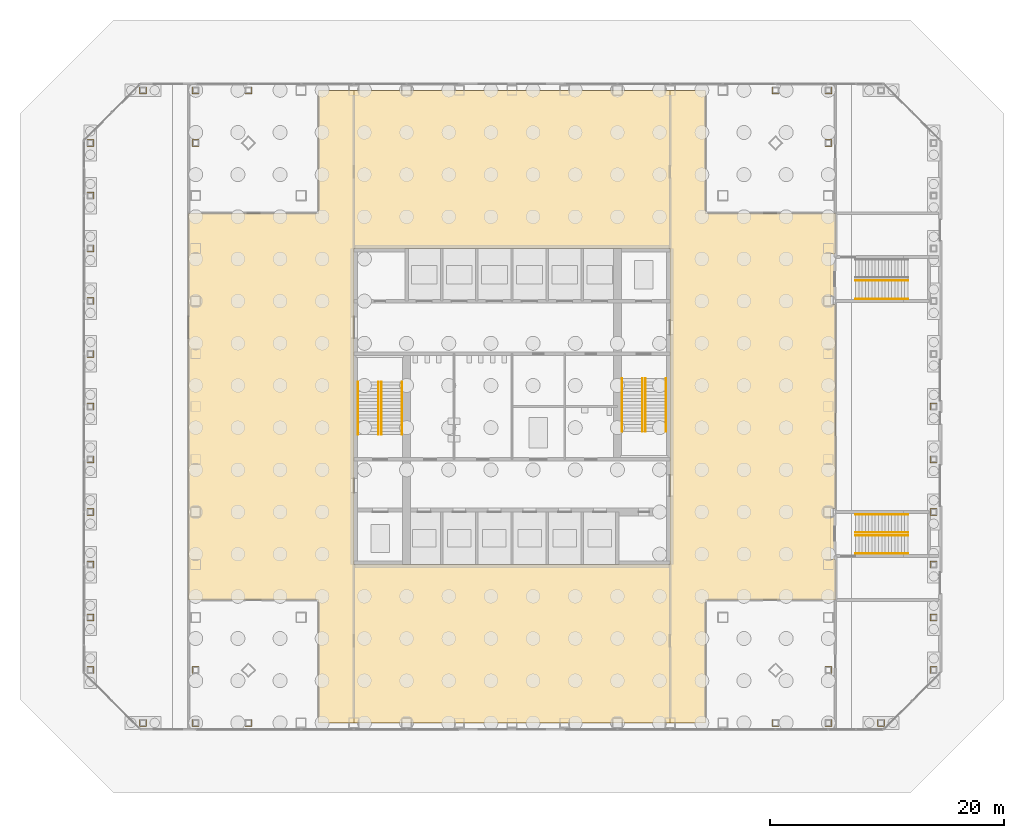
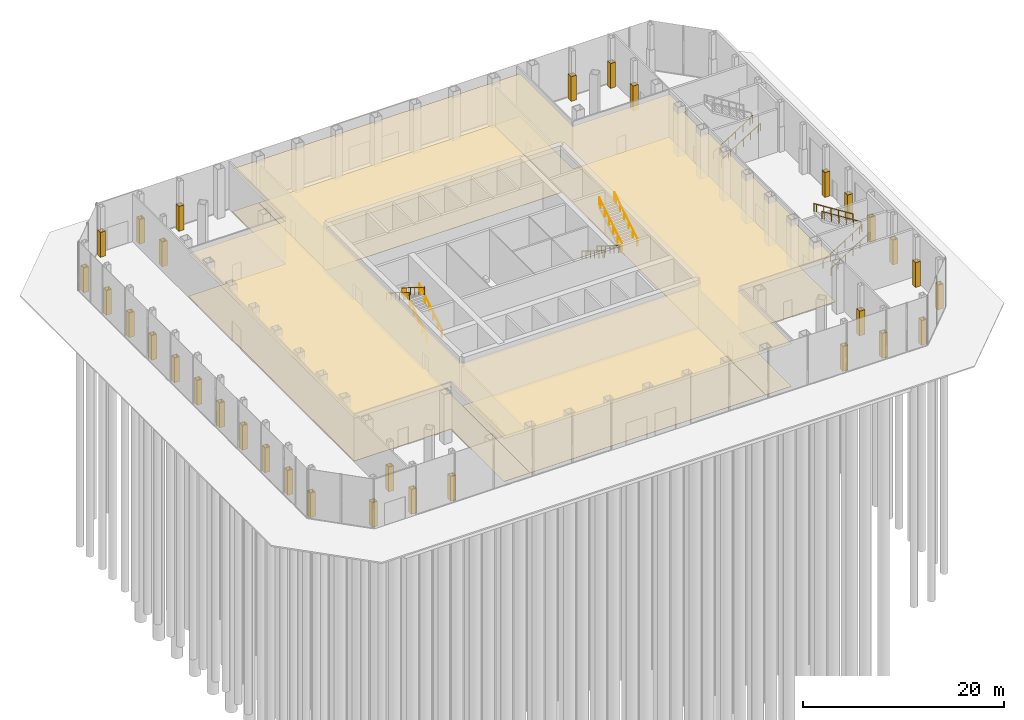
# One storey, part 21 of 24: 37 coverings, 14 railings.
"""IFC4 building model written with IfcOpenShell, lengths in metres."""

from ifc_helpers import new_model, si_unit, direction, frame, origin, origin_2d, place, context, subcontext, project, spatial, polyline, circle, outline, extrude, material, layer, layer_set, type_object, element, save


model = new_model("IFC4")

# Units and contexts
model_context = context("Model", 3, precision=1e-05, world=origin(), true_north=direction((0.0, 1.0)))
body_context = subcontext(model_context, "Body", "Model", "MODEL_VIEW")
ifc_project = project(units=[si_unit("LENGTHUNIT", "METRE"), si_unit("AREAUNIT", "SQUARE_METRE"), si_unit("VOLUMEUNIT", "CUBIC_METRE"), si_unit("PLANEANGLEUNIT", "RADIAN"), si_unit("MASSUNIT", "GRAM", prefix="KILO")], contexts=[model_context])

# Site, building, storey
site_placement = place(None, origin())
site = spatial("IfcSite", under=ifc_project, at=site_placement, CompositionType="ELEMENT")
building_placement = place(site_placement, origin())
building = spatial("IfcBuilding", under=site, at=building_placement, Name="Corais Broadcast Tower", CompositionType="ELEMENT")
storey_placement = place(building_placement, origin())
storey = spatial("IfcBuildingStorey", under=building, at=storey_placement, Name="L00", CompositionType="ELEMENT", Elevation=0.0)

# Railings
ifc_material_1 = material(Name="Stainless steel handrail", Category="steel")
railing_type = type_object("IfcRailingType", Name="Handrail 920", PredefinedType="HANDRAIL", material=ifc_material_1)
for number, where, name in (
    (1, (17.60009765625, 24.60009765625, 0.176513671875), "HR1 L00"),
    (2, (15.85009765625, 24.60009765625, 0.176513671875), "HR1 L00"),
):
    element("IfcRailing", number, at=place(storey_placement, frame(where)), inside=storey, type_object=railing_type, Name=name, PredefinedType="HANDRAIL", context=body_context, shape_type="SweptSolid", body=[
        extrude(circle(Radius=0.02392578125, at=origin_2d()), frame((0.0, 0.0, 0.89599609375), z_axis=(0.0, 0.847701827889, 0.530473006847), x_axis=(-1.0, 0.0, 0.0)), (0.0, 0.0, 1.0), 5.322509765625),
        extrude(circle(Radius=0.02099609375, at=origin_2d()), origin(), (0.0, 0.0, 1.0), 0.871826171875),
        extrude(circle(Radius=0.02099609375, at=origin_2d()), frame((0.0, 0.845947265625, 0.529296875)), (0.0, 0.0, 1.0), 0.871826171875),
        extrude(circle(Radius=0.02099609375, at=origin_2d()), frame((0.0, 1.69189453125, 1.058837890625)), (0.0, 0.0, 1.0), 0.871826171875),
        extrude(circle(Radius=0.02099609375, at=origin_2d()), frame((0.0, 2.5380859375, 1.588134765625)), (0.0, 0.0, 1.0), 0.871826171875),
        extrude(circle(Radius=0.02099609375, at=origin_2d()), frame((0.0, 3.384033203125, 2.11767578125)), (0.0, 0.0, 1.0), 0.871826171875),
        extrude(circle(Radius=0.02099609375, at=origin_2d()), frame((0.0, 4.22998046875, 2.64697265625)), (0.0, 0.0, 1.0), 0.871826171875),
        extrude(circle(Radius=0.02099609375, at=origin_2d()), frame((0.0, 4.511962890625, 2.823486328125)), (0.0, 0.0, 1.0), 0.871826171875),
    ])
for number, where, name in (
    (3, (13.85009765625, 29.112060546875, 3.176513671875), "HR1 L00"),
    (4, (15.60009765625, 29.112060546875, 3.176513671875), "HR1 L00"),
    (5, (36.39990234375, 29.39990234375, 0.176513671875), "HR1 L00"),
    (6, (38.14990234375, 29.39990234375, 0.176513671875), "HR1 L00"),
):
    element("IfcRailing", number, at=place(storey_placement, frame(where)), inside=storey, type_object=railing_type, Name=name, PredefinedType="HANDRAIL", context=body_context, shape_type="SweptSolid", body=[
        extrude(circle(Radius=0.02392578125, at=origin_2d()), frame((0.0, 0.0, 0.89599609375), z_axis=(0.0, -0.847701827889, 0.530473006847), x_axis=(1.0, 0.0, 0.0)), (0.0, 0.0, 1.0), 5.322509765625),
        extrude(circle(Radius=0.02099609375, at=origin_2d()), origin(), (0.0, 0.0, 1.0), 0.871826171875),
        extrude(circle(Radius=0.02099609375, at=origin_2d()), frame((0.0, -0.845947265625, 0.529296875)), (0.0, 0.0, 1.0), 0.871826171875),
        extrude(circle(Radius=0.02099609375, at=origin_2d()), frame((0.0, -1.69189453125, 1.058837890625)), (0.0, 0.0, 1.0), 0.871826171875),
        extrude(circle(Radius=0.02099609375, at=origin_2d()), frame((0.0, -2.5380859375, 1.588134765625)), (0.0, 0.0, 1.0), 0.871826171875),
        extrude(circle(Radius=0.02099609375, at=origin_2d()), frame((0.0, -3.384033203125, 2.11767578125)), (0.0, 0.0, 1.0), 0.871826171875),
        extrude(circle(Radius=0.02099609375, at=origin_2d()), frame((0.0, -4.22998046875, 2.64697265625)), (0.0, 0.0, 1.0), 0.871826171875),
        extrude(circle(Radius=0.02099609375, at=origin_2d()), frame((0.0, -4.511962890625, 2.823486328125)), (0.0, 0.0, 1.0), 0.871826171875),
    ])
for number, where, name in (
    (7, (40.14990234375, 24.887939453125, 3.176513671875), "HR1 L00"),
    (8, (38.39990234375, 24.887939453125, 3.176513671875), "HR1 L00"),
):
    element("IfcRailing", number, at=place(storey_placement, frame(where)), inside=storey, type_object=railing_type, Name=name, PredefinedType="HANDRAIL", context=body_context, shape_type="SweptSolid", body=[
        extrude(circle(Radius=0.02392578125, at=origin_2d()), frame((0.0, 0.0, 0.89599609375), z_axis=(0.0, 0.847701827889, 0.530473006847), x_axis=(-1.0, 0.0, 0.0)), (0.0, 0.0, 1.0), 5.322509765625),
        extrude(circle(Radius=0.02099609375, at=origin_2d()), origin(), (0.0, 0.0, 1.0), 0.871826171875),
        extrude(circle(Radius=0.02099609375, at=origin_2d()), frame((0.0, 0.845947265625, 0.529296875)), (0.0, 0.0, 1.0), 0.871826171875),
        extrude(circle(Radius=0.02099609375, at=origin_2d()), frame((0.0, 1.69189453125, 1.058837890625)), (0.0, 0.0, 1.0), 0.871826171875),
        extrude(circle(Radius=0.02099609375, at=origin_2d()), frame((0.0, 2.5380859375, 1.588134765625)), (0.0, 0.0, 1.0), 0.871826171875),
        extrude(circle(Radius=0.02099609375, at=origin_2d()), frame((0.0, 3.384033203125, 2.11767578125)), (0.0, 0.0, 1.0), 0.871826171875),
        extrude(circle(Radius=0.02099609375, at=origin_2d()), frame((0.0, 4.22998046875, 2.64697265625)), (0.0, 0.0, 1.0), 0.871826171875),
        extrude(circle(Radius=0.02099609375, at=origin_2d()), frame((0.0, 4.511962890625, 2.823486328125)), (0.0, 0.0, 1.0), 0.871826171875),
    ])
for number, where, name in (
    (9, (56.324951171875, 14.449951171875, 0.176513671875), "HR1 L00"),
    (10, (56.324951171875, 16.0, 0.176513671875), "HR1 L00"),
):
    element("IfcRailing", number, at=place(storey_placement, frame(where)), inside=storey, type_object=railing_type, Name=name, PredefinedType="HANDRAIL", context=body_context, shape_type="SweptSolid", body=[
        extrude(circle(Radius=0.02392578125, at=origin_2d()), frame((0.0, 0.0, 0.89599609375), z_axis=(0.845997938375, 0.0, 0.533186166611), x_axis=(0.0, 1.0, 0.0)), (0.0, 0.0, 1.0), 5.29541015625),
        extrude(circle(Radius=0.02099609375, at=origin_2d()), origin(), (0.0, 0.0, 1.0), 0.871826171875),
        extrude(circle(Radius=0.02099609375, at=origin_2d()), frame((0.840087890625, 0.0, 0.529296875)), (0.0, 0.0, 1.0), 0.871826171875),
        extrude(circle(Radius=0.02099609375, at=origin_2d()), frame((1.679931640625, 0.0, 1.058837890625)), (0.0, 0.0, 1.0), 0.871826171875),
        extrude(circle(Radius=0.02099609375, at=origin_2d()), frame((2.52001953125, 0.0, 1.588134765625)), (0.0, 0.0, 1.0), 0.871826171875),
        extrude(circle(Radius=0.02099609375, at=origin_2d()), frame((3.35986328125, 0.0, 2.11767578125)), (0.0, 0.0, 1.0), 0.871826171875),
        extrude(circle(Radius=0.02099609375, at=origin_2d()), frame((4.199951171875, 0.0, 2.64697265625)), (0.0, 0.0, 1.0), 0.871826171875),
        extrude(circle(Radius=0.02099609375, at=origin_2d()), frame((4.47998046875, 0.0, 2.823486328125)), (0.0, 0.0, 1.0), 0.871826171875),
    ])
for number, where, name in (
    (11, (60.804931640625, 17.800048828125, 3.176513671875), "HR1 L00"),
    (12, (60.804931640625, 16.25, 3.176513671875), "HR1 L00"),
):
    element("IfcRailing", number, at=place(storey_placement, frame(where)), inside=storey, type_object=railing_type, Name=name, PredefinedType="HANDRAIL", context=body_context, shape_type="SweptSolid", body=[
        extrude(circle(Radius=0.02392578125, at=origin_2d()), frame((0.0, 0.0, 0.89599609375), z_axis=(-0.845997938375, 0.0, 0.533186166611), x_axis=(0.0, -1.0, 0.0)), (0.0, 0.0, 1.0), 5.29541015625),
        extrude(circle(Radius=0.02099609375, at=origin_2d()), origin(), (0.0, 0.0, 1.0), 0.871826171875),
        extrude(circle(Radius=0.02099609375, at=origin_2d()), frame((-0.840087890625, 0.0, 0.529296875)), (0.0, 0.0, 1.0), 0.871826171875),
        extrude(circle(Radius=0.02099609375, at=origin_2d()), frame((-1.679931640625, 0.0, 1.058837890625)), (0.0, 0.0, 1.0), 0.871826171875),
        extrude(circle(Radius=0.02099609375, at=origin_2d()), frame((-2.52001953125, 0.0, 1.588134765625)), (0.0, 0.0, 1.0), 0.871826171875),
        extrude(circle(Radius=0.02099609375, at=origin_2d()), frame((-3.35986328125, 0.0, 2.11767578125)), (0.0, 0.0, 1.0), 0.871826171875),
        extrude(circle(Radius=0.02099609375, at=origin_2d()), frame((-4.199951171875, 0.0, 2.64697265625)), (0.0, 0.0, 1.0), 0.871826171875),
        extrude(circle(Radius=0.02099609375, at=origin_2d()), frame((-4.47998046875, 0.0, 2.823486328125)), (0.0, 0.0, 1.0), 0.871826171875),
    ])
for number, where, name in (
    (13, (56.324951171875, 36.199951171875, 0.176513671875), "HR1 L00"),
    (14, (56.324951171875, 37.75, 0.176513671875), "HR1 L00"),
):
    element("IfcRailing", number, at=place(storey_placement, frame(where)), inside=storey, type_object=railing_type, Name=name, PredefinedType="HANDRAIL", context=body_context, shape_type="SweptSolid", body=[
        extrude(circle(Radius=0.02392578125, at=origin_2d()), frame((0.0, 0.0, 0.89599609375), z_axis=(0.845997938375, 0.0, 0.533186166611), x_axis=(0.0, 1.0, 0.0)), (0.0, 0.0, 1.0), 5.29541015625),
        extrude(circle(Radius=0.02099609375, at=origin_2d()), origin(), (0.0, 0.0, 1.0), 0.871826171875),
        extrude(circle(Radius=0.02099609375, at=origin_2d()), frame((0.840087890625, 0.0, 0.529296875)), (0.0, 0.0, 1.0), 0.871826171875),
        extrude(circle(Radius=0.02099609375, at=origin_2d()), frame((1.679931640625, 0.0, 1.058837890625)), (0.0, 0.0, 1.0), 0.871826171875),
        extrude(circle(Radius=0.02099609375, at=origin_2d()), frame((2.52001953125, 0.0, 1.588134765625)), (0.0, 0.0, 1.0), 0.871826171875),
        extrude(circle(Radius=0.02099609375, at=origin_2d()), frame((3.35986328125, 0.0, 2.11767578125)), (0.0, 0.0, 1.0), 0.871826171875),
        extrude(circle(Radius=0.02099609375, at=origin_2d()), frame((4.199951171875, 0.0, 2.64697265625)), (0.0, 0.0, 1.0), 0.871826171875),
        extrude(circle(Radius=0.02099609375, at=origin_2d()), frame((4.47998046875, 0.0, 2.823486328125)), (0.0, 0.0, 1.0), 0.871826171875),
    ])

# Coverings
ifc_material_2 = material(Name="Granite stone cladding", Category="masonry")
ifc_layer_1 = layer(ifc_material_2, 0.050048828125)
ifc_layer_set_1 = layer_set([ifc_layer_1], Name="Granite stone cladding")
covering_type_1 = type_object("IfcCoveringType", Name="Pier cladding", PredefinedType="CLADDING", material=ifc_layer_set_1)
covering_1_placement = place(storey_placement, origin())
element("IfcCovering", 15, at=covering_1_placement, inside=storey, type_object=covering_type_1, Name="PC pier cladding L00", PredefinedType="CLADDING", context=body_context, shape_type="SweptSolid", body=[
    extrude(outline(polyline([(-9.300048828125, 4.199951171875), (-8.699951171875, 4.199951171875), (-8.699951171875, 4.800048828125), (-9.300048828125, 4.800048828125), (-9.300048828125, 4.199951171875)]), holes=[polyline([(-9.25, 4.25), (-8.75, 4.25), (-8.75, 4.75), (-9.25, 4.75), (-9.25, 4.25)])]), origin(), (0.0, 0.0, 1.0), 3.0),
])
covering_2_placement = place(storey_placement, origin())
element("IfcCovering", 16, at=covering_2_placement, inside=storey, type_object=covering_type_1, Name="PC pier cladding L00", PredefinedType="CLADDING", context=body_context, shape_type="SweptSolid", body=[
    extrude(outline(polyline([(62.699951171875, 4.199951171875), (63.300048828125, 4.199951171875), (63.300048828125, 4.800048828125), (62.699951171875, 4.800048828125), (62.699951171875, 4.199951171875)]), holes=[polyline([(62.75, 4.25), (63.25, 4.25), (63.25, 4.75), (62.75, 4.75), (62.75, 4.25)])]), origin(), (0.0, 0.0, 1.0), 3.0),
])
covering_3_placement = place(storey_placement, origin())
element("IfcCovering", 17, at=covering_3_placement, inside=storey, type_object=covering_type_1, Name="PC pier cladding L00", PredefinedType="CLADDING", context=body_context, shape_type="SweptSolid", body=[
    extrude(outline(polyline([(-9.300048828125, 8.699951171875), (-8.699951171875, 8.699951171875), (-8.699951171875, 9.300048828125), (-9.300048828125, 9.300048828125), (-9.300048828125, 8.699951171875)]), holes=[polyline([(-9.25, 8.75), (-8.75, 8.75), (-8.75, 9.25), (-9.25, 9.25), (-9.25, 8.75)])]), origin(), (0.0, 0.0, 1.0), 3.0),
])
covering_4_placement = place(storey_placement, origin())
element("IfcCovering", 18, at=covering_4_placement, inside=storey, type_object=covering_type_1, Name="PC pier cladding L00", PredefinedType="CLADDING", context=body_context, shape_type="SweptSolid", body=[
    extrude(outline(polyline([(62.699951171875, 8.699951171875), (63.300048828125, 8.699951171875), (63.300048828125, 9.300048828125), (62.699951171875, 9.300048828125), (62.699951171875, 8.699951171875)]), holes=[polyline([(62.75, 8.75), (63.25, 8.75), (63.25, 9.25), (62.75, 9.25), (62.75, 8.75)])]), origin(), (0.0, 0.0, 1.0), 3.0),
])
covering_5_placement = place(storey_placement, origin())
element("IfcCovering", 19, at=covering_5_placement, inside=storey, type_object=covering_type_1, Name="PC pier cladding L00", PredefinedType="CLADDING", context=body_context, shape_type="SweptSolid", body=[
    extrude(outline(polyline([(-9.300048828125, 13.199951171875), (-8.699951171875, 13.199951171875), (-8.699951171875, 13.800048828125), (-9.300048828125, 13.800048828125), (-9.300048828125, 13.199951171875)]), holes=[polyline([(-9.25, 13.25), (-8.75, 13.25), (-8.75, 13.75), (-9.25, 13.75), (-9.25, 13.25)])]), origin(), (0.0, 0.0, 1.0), 3.0),
])
covering_6_placement = place(storey_placement, origin())
element("IfcCovering", 20, at=covering_6_placement, inside=storey, type_object=covering_type_1, Name="PC pier cladding L00", PredefinedType="CLADDING", context=body_context, shape_type="SweptSolid", body=[
    extrude(outline(polyline([(62.699951171875, 13.199951171875), (63.300048828125, 13.199951171875), (63.300048828125, 13.800048828125), (62.699951171875, 13.800048828125), (62.699951171875, 13.199951171875)]), holes=[polyline([(62.75, 13.25), (63.25, 13.25), (63.25, 13.75), (62.75, 13.75), (62.75, 13.25)])]), origin(), (0.0, 0.0, 1.0), 3.0),
])
covering_7_placement = place(storey_placement, origin())
element("IfcCovering", 21, at=covering_7_placement, inside=storey, type_object=covering_type_1, Name="PC pier cladding L00", PredefinedType="CLADDING", context=body_context, shape_type="SweptSolid", body=[
    extrude(outline(polyline([(-9.300048828125, 17.699951171875), (-8.699951171875, 17.699951171875), (-8.699951171875, 18.300048828125), (-9.300048828125, 18.300048828125), (-9.300048828125, 17.699951171875)]), holes=[polyline([(-9.25, 17.75), (-8.75, 17.75), (-8.75, 18.25), (-9.25, 18.25), (-9.25, 17.75)])]), origin(), (0.0, 0.0, 1.0), 3.0),
])
covering_8_placement = place(storey_placement, origin())
element("IfcCovering", 22, at=covering_8_placement, inside=storey, type_object=covering_type_1, Name="PC pier cladding L00", PredefinedType="CLADDING", context=body_context, shape_type="SweptSolid", body=[
    extrude(outline(polyline([(62.699951171875, 17.699951171875), (63.300048828125, 17.699951171875), (63.300048828125, 18.300048828125), (62.699951171875, 18.300048828125), (62.699951171875, 17.699951171875)]), holes=[polyline([(62.75, 17.75), (63.25, 17.75), (63.25, 18.25), (62.75, 18.25), (62.75, 17.75)])]), origin(), (0.0, 0.0, 1.0), 3.0),
])
covering_9_placement = place(storey_placement, origin())
element("IfcCovering", 23, at=covering_9_placement, inside=storey, type_object=covering_type_1, Name="PC pier cladding L00", PredefinedType="CLADDING", context=body_context, shape_type="SweptSolid", body=[
    extrude(outline(polyline([(-9.300048828125, 22.199951171875), (-8.699951171875, 22.199951171875), (-8.699951171875, 22.800048828125), (-9.300048828125, 22.800048828125), (-9.300048828125, 22.199951171875)]), holes=[polyline([(-9.25, 22.25), (-8.75, 22.25), (-8.75, 22.75), (-9.25, 22.75), (-9.25, 22.25)])]), origin(), (0.0, 0.0, 1.0), 3.0),
])
covering_10_placement = place(storey_placement, origin())
element("IfcCovering", 24, at=covering_10_placement, inside=storey, type_object=covering_type_1, Name="PC pier cladding L00", PredefinedType="CLADDING", context=body_context, shape_type="SweptSolid", body=[
    extrude(outline(polyline([(62.699951171875, 22.199951171875), (63.300048828125, 22.199951171875), (63.300048828125, 22.800048828125), (62.699951171875, 22.800048828125), (62.699951171875, 22.199951171875)]), holes=[polyline([(62.75, 22.25), (63.25, 22.25), (63.25, 22.75), (62.75, 22.75), (62.75, 22.25)])]), origin(), (0.0, 0.0, 1.0), 3.0),
])
covering_11_placement = place(storey_placement, origin())
element("IfcCovering", 25, at=covering_11_placement, inside=storey, type_object=covering_type_1, Name="PC pier cladding L00", PredefinedType="CLADDING", context=body_context, shape_type="SweptSolid", body=[
    extrude(outline(polyline([(-9.300048828125, 26.699951171875), (-8.699951171875, 26.699951171875), (-8.699951171875, 27.300048828125), (-9.300048828125, 27.300048828125), (-9.300048828125, 26.699951171875)]), holes=[polyline([(-9.25, 26.75), (-8.75, 26.75), (-8.75, 27.25), (-9.25, 27.25), (-9.25, 26.75)])]), origin(), (0.0, 0.0, 1.0), 3.0),
])
covering_12_placement = place(storey_placement, origin())
element("IfcCovering", 26, at=covering_12_placement, inside=storey, type_object=covering_type_1, Name="PC pier cladding L00", PredefinedType="CLADDING", context=body_context, shape_type="SweptSolid", body=[
    extrude(outline(polyline([(62.699951171875, 26.699951171875), (63.300048828125, 26.699951171875), (63.300048828125, 27.300048828125), (62.699951171875, 27.300048828125), (62.699951171875, 26.699951171875)]), holes=[polyline([(62.75, 26.75), (63.25, 26.75), (63.25, 27.25), (62.75, 27.25), (62.75, 26.75)])]), origin(), (0.0, 0.0, 1.0), 3.0),
])
covering_13_placement = place(storey_placement, origin())
element("IfcCovering", 27, at=covering_13_placement, inside=storey, type_object=covering_type_1, Name="PC pier cladding L00", PredefinedType="CLADDING", context=body_context, shape_type="SweptSolid", body=[
    extrude(outline(polyline([(-9.300048828125, 31.199951171875), (-8.699951171875, 31.199951171875), (-8.699951171875, 31.800048828125), (-9.300048828125, 31.800048828125), (-9.300048828125, 31.199951171875)]), holes=[polyline([(-9.25, 31.25), (-8.75, 31.25), (-8.75, 31.75), (-9.25, 31.75), (-9.25, 31.25)])]), origin(), (0.0, 0.0, 1.0), 3.0),
])
covering_14_placement = place(storey_placement, origin())
element("IfcCovering", 28, at=covering_14_placement, inside=storey, type_object=covering_type_1, Name="PC pier cladding L00", PredefinedType="CLADDING", context=body_context, shape_type="SweptSolid", body=[
    extrude(outline(polyline([(-9.300048828125, 35.699951171875), (-8.699951171875, 35.699951171875), (-8.699951171875, 36.300048828125), (-9.300048828125, 36.300048828125), (-9.300048828125, 35.699951171875)]), holes=[polyline([(-9.25, 35.75), (-8.75, 35.75), (-8.75, 36.25), (-9.25, 36.25), (-9.25, 35.75)])]), origin(), (0.0, 0.0, 1.0), 3.0),
])
covering_15_placement = place(storey_placement, origin())
element("IfcCovering", 29, at=covering_15_placement, inside=storey, type_object=covering_type_1, Name="PC pier cladding L00", PredefinedType="CLADDING", context=body_context, shape_type="SweptSolid", body=[
    extrude(outline(polyline([(-9.300048828125, 40.199951171875), (-8.699951171875, 40.199951171875), (-8.699951171875, 40.800048828125), (-9.300048828125, 40.800048828125), (-9.300048828125, 40.199951171875)]), holes=[polyline([(-9.25, 40.25), (-8.75, 40.25), (-8.75, 40.75), (-9.25, 40.75), (-9.25, 40.25)])]), origin(), (0.0, 0.0, 1.0), 3.0),
])
covering_16_placement = place(storey_placement, origin())
element("IfcCovering", 30, at=covering_16_placement, inside=storey, type_object=covering_type_1, Name="PC pier cladding L00", PredefinedType="CLADDING", context=body_context, shape_type="SweptSolid", body=[
    extrude(outline(polyline([(-9.300048828125, 44.699951171875), (-8.699951171875, 44.699951171875), (-8.699951171875, 45.300048828125), (-9.300048828125, 45.300048828125), (-9.300048828125, 44.699951171875)]), holes=[polyline([(-9.25, 44.75), (-8.75, 44.75), (-8.75, 45.25), (-9.25, 45.25), (-9.25, 44.75)])]), origin(), (0.0, 0.0, 1.0), 3.0),
])
covering_17_placement = place(storey_placement, origin())
element("IfcCovering", 31, at=covering_17_placement, inside=storey, type_object=covering_type_1, Name="PC pier cladding L00", PredefinedType="CLADDING", context=body_context, shape_type="SweptSolid", body=[
    extrude(outline(polyline([(-9.300048828125, 49.199951171875), (-8.699951171875, 49.199951171875), (-8.699951171875, 49.800048828125), (-9.300048828125, 49.800048828125), (-9.300048828125, 49.199951171875)]), holes=[polyline([(-9.25, 49.25), (-8.75, 49.25), (-8.75, 49.75), (-9.25, 49.75), (-9.25, 49.25)])]), origin(), (0.0, 0.0, 1.0), 3.0),
])
covering_18_placement = place(storey_placement, origin())
element("IfcCovering", 32, at=covering_18_placement, inside=storey, type_object=covering_type_1, Name="PC pier cladding L00", PredefinedType="CLADDING", context=body_context, shape_type="SweptSolid", body=[
    extrude(outline(polyline([(-4.800048828125, -0.300048828125), (-4.199951171875, -0.300048828125), (-4.199951171875, 0.300048828125), (-4.800048828125, 0.300048828125), (-4.800048828125, -0.300048828125)]), holes=[polyline([(-4.75, -0.25), (-4.25, -0.25), (-4.25, 0.25), (-4.75, 0.25), (-4.75, -0.25)])]), origin(), (0.0, 0.0, 1.0), 3.0),
])
covering_19_placement = place(storey_placement, origin())
element("IfcCovering", 33, at=covering_19_placement, inside=storey, type_object=covering_type_1, Name="PC pier cladding L00", PredefinedType="CLADDING", context=body_context, shape_type="SweptSolid", body=[
    extrude(outline(polyline([(-4.800048828125, 53.699951171875), (-4.199951171875, 53.699951171875), (-4.199951171875, 54.300048828125), (-4.800048828125, 54.300048828125), (-4.800048828125, 53.699951171875)]), holes=[polyline([(-4.75, 53.75), (-4.25, 53.75), (-4.25, 54.25), (-4.75, 54.25), (-4.75, 53.75)])]), origin(), (0.0, 0.0, 1.0), 3.0),
])
covering_20_placement = place(storey_placement, origin())
element("IfcCovering", 34, at=covering_20_placement, inside=storey, type_object=covering_type_1, Name="PC pier cladding L00", PredefinedType="CLADDING", context=body_context, shape_type="SweptSolid", body=[
    extrude(outline(polyline([(58.199951171875, -0.300048828125), (58.800048828125, -0.300048828125), (58.800048828125, 0.300048828125), (58.199951171875, 0.300048828125), (58.199951171875, -0.300048828125)]), holes=[polyline([(58.25, -0.25), (58.75, -0.25), (58.75, 0.25), (58.25, 0.25), (58.25, -0.25)])]), origin(), (0.0, 0.0, 1.0), 3.0),
])
covering_21_placement = place(storey_placement, origin())
element("IfcCovering", 35, at=covering_21_placement, inside=storey, type_object=covering_type_1, Name="PC pier cladding L00", PredefinedType="CLADDING", context=body_context, shape_type="SweptSolid", body=[
    extrude(outline(polyline([(-0.300048828125, -0.300048828125), (0.300048828125, -0.300048828125), (0.300048828125, 0.300048828125), (-0.300048828125, 0.300048828125), (-0.300048828125, -0.300048828125)]), holes=[polyline([(-0.25, -0.25), (0.25, -0.25), (0.25, 0.25), (-0.25, 0.25), (-0.25, -0.25)])]), origin(), (0.0, 0.0, 1.0), 3.0),
])
covering_22_placement = place(storey_placement, origin())
element("IfcCovering", 36, at=covering_22_placement, inside=storey, type_object=covering_type_1, Name="PC pier cladding L00", PredefinedType="CLADDING", context=body_context, shape_type="SweptSolid", body=[
    extrude(outline(polyline([(4.199951171875, -0.300048828125), (4.800048828125, -0.300048828125), (4.800048828125, 0.300048828125), (4.199951171875, 0.300048828125), (4.199951171875, -0.300048828125)]), holes=[polyline([(4.25, -0.25), (4.75, -0.25), (4.75, 0.25), (4.25, 0.25), (4.25, -0.25)])]), origin(), (0.0, 0.0, 1.0), 3.0),
])
covering_23_placement = place(storey_placement, origin())
element("IfcCovering", 37, at=covering_23_placement, inside=storey, type_object=covering_type_1, Name="PC pier cladding L00", PredefinedType="CLADDING", context=body_context, shape_type="SweptSolid", body=[
    extrude(outline(polyline([(-0.300048828125, 4.199951171875), (0.300048828125, 4.199951171875), (0.300048828125, 4.800048828125), (-0.300048828125, 4.800048828125), (-0.300048828125, 4.199951171875)]), holes=[polyline([(-0.25, 4.25), (0.25, 4.25), (0.25, 4.75), (-0.25, 4.75), (-0.25, 4.25)])]), origin(), (0.0, 0.0, 1.0), 3.0),
])
covering_24_placement = place(storey_placement, origin())
element("IfcCovering", 38, at=covering_24_placement, inside=storey, type_object=covering_type_1, Name="PC pier cladding L00", PredefinedType="CLADDING", context=body_context, shape_type="SweptSolid", body=[
    extrude(outline(polyline([(53.699951171875, -0.300048828125), (54.300048828125, -0.300048828125), (54.300048828125, 0.300048828125), (53.699951171875, 0.300048828125), (53.699951171875, -0.300048828125)]), holes=[polyline([(53.75, -0.25), (54.25, -0.25), (54.25, 0.25), (53.75, 0.25), (53.75, -0.25)])]), origin(), (0.0, 0.0, 1.0), 3.0),
])
covering_25_placement = place(storey_placement, origin())
element("IfcCovering", 39, at=covering_25_placement, inside=storey, type_object=covering_type_1, Name="PC pier cladding L00", PredefinedType="CLADDING", context=body_context, shape_type="SweptSolid", body=[
    extrude(outline(polyline([(49.199951171875, -0.300048828125), (49.800048828125, -0.300048828125), (49.800048828125, 0.300048828125), (49.199951171875, 0.300048828125), (49.199951171875, -0.300048828125)]), holes=[polyline([(49.25, -0.25), (49.75, -0.25), (49.75, 0.25), (49.25, 0.25), (49.25, -0.25)])]), origin(), (0.0, 0.0, 1.0), 3.0),
])
covering_26_placement = place(storey_placement, origin())
element("IfcCovering", 40, at=covering_26_placement, inside=storey, type_object=covering_type_1, Name="PC pier cladding L00", PredefinedType="CLADDING", context=body_context, shape_type="SweptSolid", body=[
    extrude(outline(polyline([(53.699951171875, 4.199951171875), (54.300048828125, 4.199951171875), (54.300048828125, 4.800048828125), (53.699951171875, 4.800048828125), (53.699951171875, 4.199951171875)]), holes=[polyline([(53.75, 4.25), (54.25, 4.25), (54.25, 4.75), (53.75, 4.75), (53.75, 4.25)])]), origin(), (0.0, 0.0, 1.0), 3.0),
])
covering_27_placement = place(storey_placement, origin())
element("IfcCovering", 41, at=covering_27_placement, inside=storey, type_object=covering_type_1, Name="PC pier cladding L00", PredefinedType="CLADDING", context=body_context, shape_type="SweptSolid", body=[
    extrude(outline(polyline([(53.699951171875, 53.699951171875), (54.300048828125, 53.699951171875), (54.300048828125, 54.300048828125), (53.699951171875, 54.300048828125), (53.699951171875, 53.699951171875)]), holes=[polyline([(53.75, 53.75), (54.25, 53.75), (54.25, 54.25), (53.75, 54.25), (53.75, 53.75)])]), origin(), (0.0, 0.0, 1.0), 3.0),
])
covering_28_placement = place(storey_placement, origin())
element("IfcCovering", 42, at=covering_28_placement, inside=storey, type_object=covering_type_1, Name="PC pier cladding L00", PredefinedType="CLADDING", context=body_context, shape_type="SweptSolid", body=[
    extrude(outline(polyline([(49.199951171875, 53.699951171875), (49.800048828125, 53.699951171875), (49.800048828125, 54.300048828125), (49.199951171875, 54.300048828125), (49.199951171875, 53.699951171875)]), holes=[polyline([(49.25, 53.75), (49.75, 53.75), (49.75, 54.25), (49.25, 54.25), (49.25, 53.75)])]), origin(), (0.0, 0.0, 1.0), 3.0),
])
covering_29_placement = place(storey_placement, origin())
element("IfcCovering", 43, at=covering_29_placement, inside=storey, type_object=covering_type_1, Name="PC pier cladding L00", PredefinedType="CLADDING", context=body_context, shape_type="SweptSolid", body=[
    extrude(outline(polyline([(53.699951171875, 49.199951171875), (54.300048828125, 49.199951171875), (54.300048828125, 49.800048828125), (53.699951171875, 49.800048828125), (53.699951171875, 49.199951171875)]), holes=[polyline([(53.75, 49.25), (54.25, 49.25), (54.25, 49.75), (53.75, 49.75), (53.75, 49.25)])]), origin(), (0.0, 0.0, 1.0), 3.0),
])
covering_30_placement = place(storey_placement, origin())
element("IfcCovering", 44, at=covering_30_placement, inside=storey, type_object=covering_type_1, Name="PC pier cladding L00", PredefinedType="CLADDING", context=body_context, shape_type="SweptSolid", body=[
    extrude(outline(polyline([(-0.300048828125, 53.699951171875), (0.300048828125, 53.699951171875), (0.300048828125, 54.300048828125), (-0.300048828125, 54.300048828125), (-0.300048828125, 53.699951171875)]), holes=[polyline([(-0.25, 53.75), (0.25, 53.75), (0.25, 54.25), (-0.25, 54.25), (-0.25, 53.75)])]), origin(), (0.0, 0.0, 1.0), 3.0),
])
covering_31_placement = place(storey_placement, origin())
element("IfcCovering", 45, at=covering_31_placement, inside=storey, type_object=covering_type_1, Name="PC pier cladding L00", PredefinedType="CLADDING", context=body_context, shape_type="SweptSolid", body=[
    extrude(outline(polyline([(4.199951171875, 53.699951171875), (4.800048828125, 53.699951171875), (4.800048828125, 54.300048828125), (4.199951171875, 54.300048828125), (4.199951171875, 53.699951171875)]), holes=[polyline([(4.25, 53.75), (4.75, 53.75), (4.75, 54.25), (4.25, 54.25), (4.25, 53.75)])]), origin(), (0.0, 0.0, 1.0), 3.0),
])
covering_32_placement = place(storey_placement, origin())
element("IfcCovering", 46, at=covering_32_placement, inside=storey, type_object=covering_type_1, Name="PC pier cladding L00", PredefinedType="CLADDING", context=body_context, shape_type="SweptSolid", body=[
    extrude(outline(polyline([(-0.300048828125, 49.199951171875), (0.300048828125, 49.199951171875), (0.300048828125, 49.800048828125), (-0.300048828125, 49.800048828125), (-0.300048828125, 49.199951171875)]), holes=[polyline([(-0.25, 49.25), (0.25, 49.25), (0.25, 49.75), (-0.25, 49.75), (-0.25, 49.25)])]), origin(), (0.0, 0.0, 1.0), 3.0),
])
ifc_material_3 = material(Name="Granite stone flooring", Category="masonry")
ifc_layer_2 = layer(ifc_material_3, 0.030029296875)
ifc_layer_set_2 = layer_set([ifc_layer_2], Name="Granite stone flooring")
covering_type_2 = type_object("IfcCoveringType", Name="Stone floor finish", PredefinedType="FLOORING", material=ifc_layer_set_2)
covering_33_placement = place(storey_placement, origin())
element("IfcCovering", 47, at=covering_33_placement, inside=storey, type_object=covering_type_2, Name="FF1 floor finish L00", PredefinedType="FLOORING", context=body_context, shape_type="SweptSolid", body=[
    extrude(outline(polyline([(40.5, 54.0), (40.5, 40.5), (13.5, 40.5), (13.5, 54.0), (40.5, 54.0)])), origin(), (0.0, 0.0, 1.0), 0.030029296875),
])
covering_34_placement = place(storey_placement, origin())
element("IfcCovering", 48, at=covering_34_placement, inside=storey, type_object=covering_type_2, Name="FF1 floor finish L00", PredefinedType="FLOORING", context=body_context, shape_type="SweptSolid", body=[
    extrude(outline(polyline([(43.5, 43.5), (54.60009765625, 43.5), (54.60009765625, 39.75), (54.550048828125, 39.75), (54.550048828125, 36.0), (54.60009765625, 36.0), (54.60009765625, 18.0), (54.550048828125, 18.0), (54.550048828125, 14.25), (54.60009765625, 14.25), (54.60009765625, 10.5), (43.5, 10.5), (43.5, 0.0), (40.5, 0.0), (40.5, 13.5), (40.5, 40.5), (40.5, 54.0), (43.5, 54.0), (43.5, 43.5)])), origin(), (0.0, 0.0, 1.0), 0.030029296875),
])
covering_35_placement = place(storey_placement, origin())
element("IfcCovering", 49, at=covering_35_placement, inside=storey, type_object=covering_type_2, Name="FF1 floor finish L00", PredefinedType="FLOORING", context=body_context, shape_type="SweptSolid", body=[
    extrude(outline(polyline([(13.5, 0.0), (13.5, 13.5), (40.5, 13.5), (40.5, 0.0), (13.5, 0.0)])), origin(), (0.0, 0.0, 1.0), 0.030029296875),
])
covering_36_placement = place(storey_placement, origin())
element("IfcCovering", 50, at=covering_36_placement, inside=storey, type_object=covering_type_2, Name="FF1 floor finish L00", PredefinedType="FLOORING", context=body_context, shape_type="SweptSolid", body=[
    extrude(outline(polyline([(10.5, 0.0), (10.5, 10.5), (-0.60009765625, 10.5), (-0.60009765625, 43.5), (10.5, 43.5), (10.5, 54.0), (13.5, 54.0), (13.5, 40.5), (13.5, 13.5), (13.5, 0.0), (10.5, 0.0)])), origin(), (0.0, 0.0, 1.0), 0.030029296875),
])
ifc_material_4 = material(Name="Mineral fibre ceiling tile", Category="mineral")
ifc_layer_3 = layer(ifc_material_4, 0.02001953125)
ifc_layer_set_3 = layer_set([ifc_layer_3], Name="Mineral fibre ceiling tile")
covering_type_3 = type_object("IfcCoveringType", Name="Suspended ceiling", PredefinedType="CEILING", material=ifc_layer_set_3)
covering_37_placement = place(storey_placement, frame((0.0, 0.0, 5.179931640625)))
element("IfcCovering", 51, at=covering_37_placement, inside=storey, type_object=covering_type_3, Name="CE1 ceiling L00", PredefinedType="CEILING", context=body_context, shape_type="SweptSolid", body=[
    extrude(outline(polyline([(-0.60009765625, 10.5), (-0.60009765625, 43.5), (10.5, 43.5), (10.5, 54.0), (43.5, 54.0), (43.5, 43.5), (54.60009765625, 43.5), (54.60009765625, 40.050048828125), (54.25, 40.050048828125), (54.25, 35.699951171875), (54.60009765625, 35.699951171875), (54.60009765625, 18.300048828125), (54.25, 18.300048828125), (54.25, 13.949951171875), (54.60009765625, 13.949951171875), (54.60009765625, 10.5), (43.5, 10.5), (43.5, 0.0), (10.5, 0.0), (10.5, 10.5), (-0.60009765625, 10.5)]), holes=[polyline([(40.5, 40.5), (13.5, 40.5), (13.5, 13.5), (40.5, 13.5), (40.5, 40.5)])]), origin(), (0.0, 0.0, 1.0), 0.02001953125),
])

save(model, "model.ifc")
